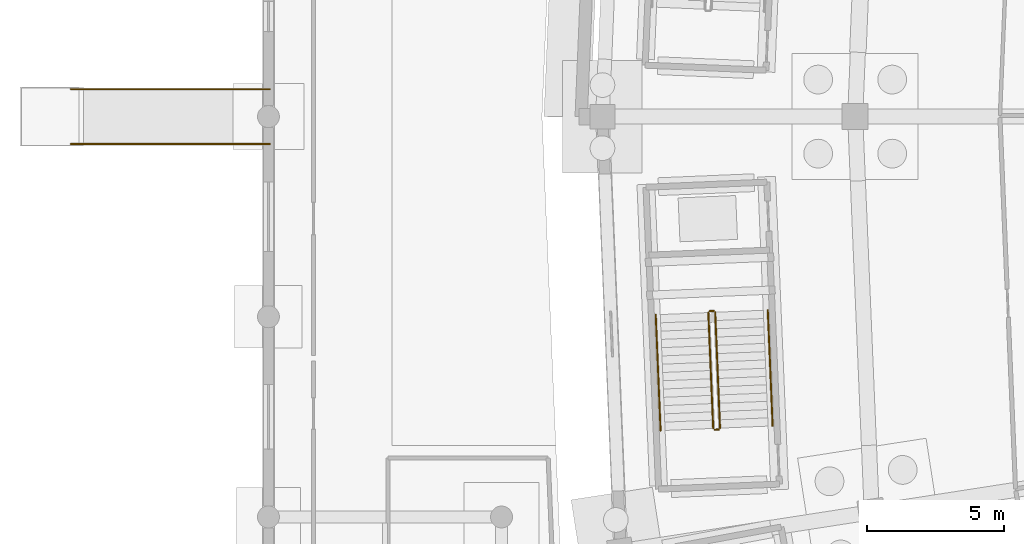
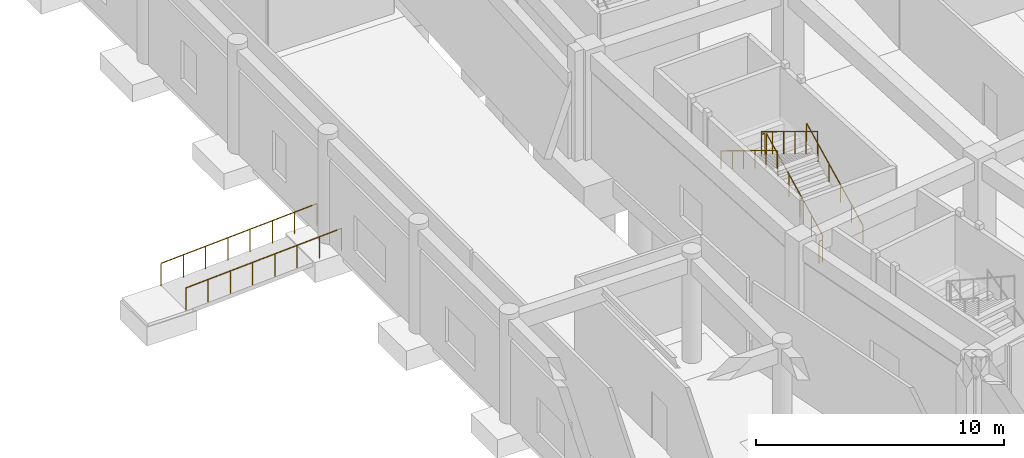
# One storey, part 73 of 88: 8 railings.
"""IFC4 building model written with IfcOpenShell, lengths in metres."""

from ifc_helpers import new_model, si_unit, direction, frame, origin, origin_2d, place, context, subcontext, project, spatial, circle, extrude, material, type_object, element, save


model = new_model("IFC4")

# Units and contexts
model_context = context("Model", 3, precision=1e-05, world=origin(), true_north=direction((0.0, 1.0)))
body_context = subcontext(model_context, "Body", "Model", "MODEL_VIEW")
ifc_project = project(units=[si_unit("LENGTHUNIT", "METRE"), si_unit("AREAUNIT", "SQUARE_METRE"), si_unit("VOLUMEUNIT", "CUBIC_METRE"), si_unit("PLANEANGLEUNIT", "RADIAN"), si_unit("MASSUNIT", "GRAM", prefix="KILO")], contexts=[model_context])

# Site, building, storey
site_placement = place(None, origin())
site = spatial("IfcSite", under=ifc_project, at=site_placement, CompositionType="ELEMENT")
building_placement = place(site_placement, origin())
building = spatial("IfcBuilding", under=site, at=building_placement, Name="Mphavela Belvedere Stadium", CompositionType="ELEMENT")
storey_placement = place(building_placement, origin())
storey = spatial("IfcBuildingStorey", under=building, at=storey_placement, Name="L00", CompositionType="ELEMENT", Elevation=0.0)

# Railings
ifc_material_1 = material(Name="Painted galvanised steel stair guardrail", Category="steel")
railing_type_1 = type_object("IfcRailingType", Name="RAL-GUARD-1120", PredefinedType="GUARDRAIL", material=ifc_material_1)
railing_1_placement = place(storey_placement, frame((16.467041015625, 75.640625, 0.179931640625)))
element("IfcRailing", 1, at=railing_1_placement, inside=storey, type_object=railing_type_1, Name="L00 ST-C08 stair guard 1", PredefinedType="GUARDRAIL", context=body_context, shape_type="SweptSolid", body=[
    extrude(circle(Radius=0.02392578125, at=origin_2d()), frame((0.0, 0.0, 1.09619140625), z_axis=(-0.035962172711, 0.858231051363, 0.512002133405), x_axis=(-0.999123237533, -0.041865931523, 0.0)), (0.0, 0.0, 1.0), 4.921875),
    extrude(circle(Radius=0.02099609375, at=origin_2d()), origin(), (0.0, 0.0, 1.0), 1.072021484375),
    extrude(circle(Radius=0.02099609375, at=origin_2d()), frame((-0.035400390625, 0.8447265625, 0.50390625)), (0.0, 0.0, 1.0), 1.072021484375),
    extrude(circle(Radius=0.02099609375, at=origin_2d()), frame((-0.07080078125, 1.689697265625, 1.008056640625)), (0.0, 0.0, 1.0), 1.072021484375),
    extrude(circle(Radius=0.02099609375, at=origin_2d()), frame((-0.106201171875, 2.534423828125, 1.511962890625)), (0.0, 0.0, 1.0), 1.072021484375),
    extrude(circle(Radius=0.02099609375, at=origin_2d()), frame((-0.1416015625, 3.37939453125, 2.01611328125)), (0.0, 0.0, 1.0), 1.072021484375),
    extrude(circle(Radius=0.02099609375, at=origin_2d()), frame((-0.177001953125, 4.22412109375, 2.52001953125)), (0.0, 0.0, 1.0), 1.072021484375),
])
railing_2_placement = place(storey_placement, frame((16.238037109375, 79.91259765625, 2.699951171875)))
element("IfcRailing", 2, at=railing_2_placement, inside=storey, type_object=railing_type_1, Name="L00 ST-C08 stair guard 2", PredefinedType="GUARDRAIL", context=body_context, shape_type="SweptSolid", body=[
    extrude(circle(Radius=0.02392578125, at=origin_2d()), frame((0.0, 0.0, 1.09619140625), z_axis=(-0.999172107982, -0.040682903419, 0.0), x_axis=(0.040682903419, -0.999172107982, 0.0)), (0.0, 0.0, 1.0), 0.150146484375),
    extrude(circle(Radius=0.02099609375, at=origin_2d()), origin(), (0.0, 0.0, 1.0), 1.072021484375),
    extrude(circle(Radius=0.02099609375, at=origin_2d()), frame((-0.14990234375, -0.006103515625, 0.0)), (0.0, 0.0, 1.0), 1.072021484375),
])
railing_3_placement = place(storey_placement, frame((16.040283203125, 79.854248046875, 2.8798828125)))
element("IfcRailing", 3, at=railing_3_placement, inside=storey, type_object=railing_type_1, Name="L00 ST-C08 stair guard 3", PredefinedType="GUARDRAIL", context=body_context, shape_type="SweptSolid", body=[
    extrude(circle(Radius=0.02392578125, at=origin_2d()), frame((0.0, 0.0, 1.09619140625), z_axis=(0.035962172711, -0.858231051363, 0.512002133405), x_axis=(0.999123237533, 0.041865931523, 0.0)), (0.0, 0.0, 1.0), 4.921875),
    extrude(circle(Radius=0.02099609375, at=origin_2d()), origin(), (0.0, 0.0, 1.0), 1.072021484375),
    extrude(circle(Radius=0.02099609375, at=origin_2d()), frame((0.035400390625, -0.8447265625, 0.50390625)), (0.0, 0.0, 1.0), 1.072021484375),
    extrude(circle(Radius=0.02099609375, at=origin_2d()), frame((0.07080078125, -1.689697265625, 1.008056640625)), (0.0, 0.0, 1.0), 1.072021484375),
    extrude(circle(Radius=0.02099609375, at=origin_2d()), frame((0.106201171875, -2.534423828125, 1.511962890625)), (0.0, 0.0, 1.0), 1.072021484375),
    extrude(circle(Radius=0.02099609375, at=origin_2d()), frame((0.1416015625, -3.37939453125, 2.01611328125)), (0.0, 0.0, 1.0), 1.072021484375),
    extrude(circle(Radius=0.02099609375, at=origin_2d()), frame((0.177001953125, -4.22412109375, 2.52001953125)), (0.0, 0.0, 1.0), 1.072021484375),
])
railing_4_placement = place(storey_placement, frame((16.419189453125, 75.58837890625, 0.0)))
element("IfcRailing", 4, at=railing_4_placement, inside=storey, type_object=railing_type_1, Name="L00 ST-C08 stair guard 4", PredefinedType="GUARDRAIL", context=body_context, shape_type="SweptSolid", body=[
    extrude(circle(Radius=0.02392578125, at=origin_2d()), frame((0.0, 0.0, 1.09619140625), z_axis=(-0.999172107982, -0.040682903419, 0.0), x_axis=(0.040682903419, -0.999172107982, 0.0)), (0.0, 0.0, 1.0), 0.150146484375),
    extrude(circle(Radius=0.02099609375, at=origin_2d()), origin(), (0.0, 0.0, 1.0), 1.072021484375),
    extrude(circle(Radius=0.02099609375, at=origin_2d()), frame((-0.14990234375, -0.006103515625, 0.0)), (0.0, 0.0, 1.0), 1.072021484375),
])
for number, where, name in (
    (5, (-7.199951171875, 86.0, -0.39990234375), "Ramp RP5 guardrail R"),
    (6, (-7.199951171875, 88.0, -0.39990234375), "Ramp RP5 guardrail L"),
):
    element("IfcRailing", number, at=place(storey_placement, frame(where)), inside=storey, type_object=railing_type_1, Name=name, PredefinedType="GUARDRAIL", context=body_context, shape_type="SweptSolid", body=[
        extrude(circle(Radius=0.02392578125, at=origin_2d()), frame((0.0, 0.0, 1.09619140625), z_axis=(0.998482207996, 0.0, 0.055075224161), x_axis=(0.0, 1.0, 0.0)), (0.0, 0.0, 1.0), 7.260986328125),
        extrude(circle(Radius=0.02099609375, at=origin_2d()), origin(), (0.0, 0.0, 1.0), 1.072021484375),
        extrude(circle(Radius=0.02099609375, at=origin_2d()), frame((1.03564453125, 0.0, 0.05712890625)), (0.0, 0.0, 1.0), 1.072021484375),
        extrude(circle(Radius=0.02099609375, at=origin_2d()), frame((2.071533203125, 0.0, 0.1142578125)), (0.0, 0.0, 1.0), 1.072021484375),
        extrude(circle(Radius=0.02099609375, at=origin_2d()), frame((3.107177734375, 0.0, 0.17138671875)), (0.0, 0.0, 1.0), 1.072021484375),
        extrude(circle(Radius=0.02099609375, at=origin_2d()), frame((4.142822265625, 0.0, 0.228515625)), (0.0, 0.0, 1.0), 1.072021484375),
        extrude(circle(Radius=0.02099609375, at=origin_2d()), frame((5.178466796875, 0.0, 0.28564453125)), (0.0, 0.0, 1.0), 1.072021484375),
        extrude(circle(Radius=0.02099609375, at=origin_2d()), frame((6.21435546875, 0.0, 0.3427734375)), (0.0, 0.0, 1.0), 1.072021484375),
        extrude(circle(Radius=0.02099609375, at=origin_2d()), frame((7.25, 0.0, 0.39990234375)), (0.0, 0.0, 1.0), 1.072021484375),
    ])
ifc_material_2 = material(Name="Brushed stainless steel tubular handrail", Category="steel")
railing_type_2 = type_object("IfcRailingType", Name="RAL-HANDRAIL-900", PredefinedType="HANDRAIL", material=ifc_material_2)
railing_5_placement = place(storey_placement, frame((18.38525390625, 75.720947265625, 0.179931640625)))
element("IfcRailing", 7, at=railing_5_placement, inside=storey, type_object=railing_type_2, Name="L00 ST-C08 stair handrail 1", PredefinedType="HANDRAIL", context=body_context, shape_type="SweptSolid", body=[
    extrude(circle(Radius=0.02392578125, at=origin_2d()), frame((0.0, 0.0, 0.8759765625), z_axis=(-0.035960641824, 0.858244117915, 0.51198033781), x_axis=(-0.999123338739, -0.041863516187, 0.0)), (0.0, 0.0, 1.0), 4.922119140625),
    extrude(circle(Radius=0.02099609375, at=origin_2d()), origin(), (0.0, 0.0, 1.0), 0.851806640625),
    extrude(circle(Radius=0.02099609375, at=origin_2d()), frame((-0.035400390625, 0.844970703125, 0.50390625)), (0.0, 0.0, 1.0), 0.851806640625),
    extrude(circle(Radius=0.02099609375, at=origin_2d()), frame((-0.07080078125, 1.689697265625, 1.008056640625)), (0.0, 0.0, 1.0), 0.851806640625),
    extrude(circle(Radius=0.02099609375, at=origin_2d()), frame((-0.106201171875, 2.53466796875, 1.511962890625)), (0.0, 0.0, 1.0), 0.851806640625),
    extrude(circle(Radius=0.02099609375, at=origin_2d()), frame((-0.1416015625, 3.37939453125, 2.01611328125)), (0.0, 0.0, 1.0), 0.851806640625),
    extrude(circle(Radius=0.02099609375, at=origin_2d()), frame((-0.177001953125, 4.224365234375, 2.52001953125)), (0.0, 0.0, 1.0), 0.851806640625),
])
railing_6_placement = place(storey_placement, frame((14.121826171875, 79.77392578125, 2.8798828125)))
element("IfcRailing", 8, at=railing_6_placement, inside=storey, type_object=railing_type_2, Name="L00 ST-C08 stair handrail 2", PredefinedType="HANDRAIL", context=body_context, shape_type="SweptSolid", body=[
    extrude(circle(Radius=0.02392578125, at=origin_2d()), frame((0.0, 0.0, 0.8759765625), z_axis=(0.035960641824, -0.858244117915, 0.51198033781), x_axis=(0.999123338739, 0.041863516187, 0.0)), (0.0, 0.0, 1.0), 4.922119140625),
    extrude(circle(Radius=0.02099609375, at=origin_2d()), origin(), (0.0, 0.0, 1.0), 0.851806640625),
    extrude(circle(Radius=0.02099609375, at=origin_2d()), frame((0.035400390625, -0.844970703125, 0.50390625)), (0.0, 0.0, 1.0), 0.851806640625),
    extrude(circle(Radius=0.02099609375, at=origin_2d()), frame((0.07080078125, -1.689697265625, 1.008056640625)), (0.0, 0.0, 1.0), 0.851806640625),
    extrude(circle(Radius=0.02099609375, at=origin_2d()), frame((0.106201171875, -2.53466796875, 1.511962890625)), (0.0, 0.0, 1.0), 0.851806640625),
    extrude(circle(Radius=0.02099609375, at=origin_2d()), frame((0.1416015625, -3.37939453125, 2.01611328125)), (0.0, 0.0, 1.0), 0.851806640625),
    extrude(circle(Radius=0.02099609375, at=origin_2d()), frame((0.177001953125, -4.224365234375, 2.52001953125)), (0.0, 0.0, 1.0), 0.851806640625),
])

save(model, "model.ifc")
